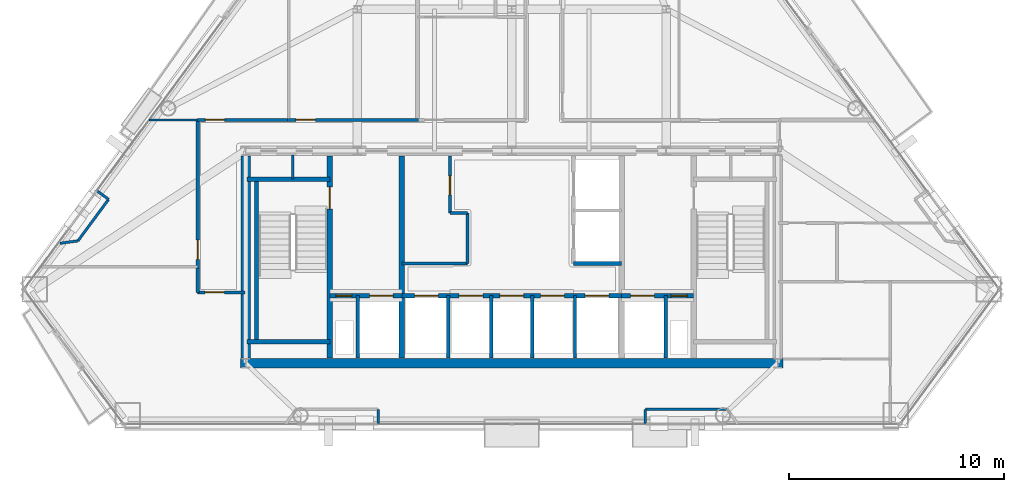
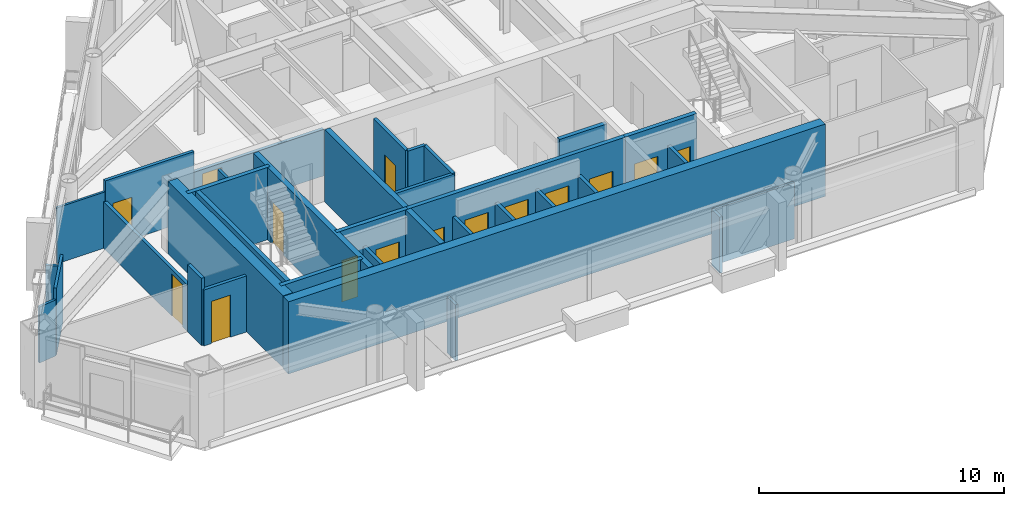
# One storey, part 7 of 11: 34 walls, 15 doors, 15 openings.
"""IFC4 building model written with IfcOpenShell, lengths in metres."""

from ifc_helpers import new_model, si_unit, direction, frame, frame_2d, origin, place, context, subcontext, project, spatial, rectangle, extrude, material, layer, layer_set, type_object, element, fill, save


model = new_model("IFC4")

# Units and contexts
model_context = context("Model", 3, precision=1e-05, world=origin(), true_north=direction((0.0, 1.0)))
body_context = subcontext(model_context, "Body", "Model", "MODEL_VIEW")
ifc_project = project(units=[si_unit("LENGTHUNIT", "METRE"), si_unit("AREAUNIT", "SQUARE_METRE"), si_unit("VOLUMEUNIT", "CUBIC_METRE"), si_unit("PLANEANGLEUNIT", "RADIAN"), si_unit("MASSUNIT", "GRAM", prefix="KILO")], contexts=[model_context])

# Site, building, storey
site_placement = place(None, origin())
site = spatial("IfcSite", under=ifc_project, at=site_placement, CompositionType="ELEMENT")
building_placement = place(site_placement, origin())
building = spatial("IfcBuilding", under=site, at=building_placement, Name="Talgorran Terracotta Tower", CompositionType="ELEMENT")
storey_placement = place(building_placement, frame((0.0, 0.0, 158.10009765625)))
storey = spatial("IfcBuildingStorey", under=building, at=storey_placement, Name="L41", CompositionType="ELEMENT", Elevation=158.10009765625)

# Walls
ifc_material_1 = material(Name="Concrete C50/60", Category="concrete")
ifc_layer_1 = layer(ifc_material_1, 0.199951171875, Name="WT_CORE_200")
ifc_layer_set_1 = layer_set([ifc_layer_1], Name="Concrete C50/60")
wall_type_1 = type_object("IfcWallType", Name="WT_CORE_200", PredefinedType="SOLIDWALL", material=ifc_layer_set_1)
for number, where, z_axis, x_axis, name in (
    (1, (-12.35009765625, -5.52001953125, 0.0), (0.0, 0.0, 1.0), (1.0, 0.0, 0.0), "WL-L41-CW-ST1-N"),
    (2, (-12.35009765625, -13.10009765625, 0.0), (0.0, 0.0, 1.0), (1.0, 0.0, 0.0), "WL-L41-CW-ST1-S"),
):
    element("IfcWall", number, at=place(storey_placement, frame(where, z_axis=z_axis, x_axis=x_axis)), inside=storey, type_object=wall_type_1, Name=name, PredefinedType="SOLIDWALL", context=body_context, shape_type="SweptSolid", body=[
        extrude(rectangle(XDim=3.8701171875, YDim=0.199951171875, at=frame_2d((1.93505859375, 0.0))), origin(), (0.0, 0.0, 1.0), 3.599853515625),
    ])
wall_1_placement = place(storey_placement, frame((-11.89990234375, -13.10009765625, 0.0), z_axis=(0.0, 0.0, 1.0), x_axis=(0.0, 1.0, 0.0)))
element("IfcWall", 3, at=wall_1_placement, inside=storey, type_object=wall_type_1, Name="WL-L41-CW-ST1-W", PredefinedType="SOLIDWALL", context=body_context, shape_type="SweptSolid", body=[
    extrude(rectangle(XDim=7.580078125, YDim=0.199951171875, at=frame_2d((3.7900390625, 0.0))), origin(), (0.0, 0.0, 1.0), 3.599853515625),
])

# Wall, openings, doors
wall_2_placement = place(storey_placement, frame((-8.47998046875, -10.949951171875, 0.0), z_axis=(0.0, 0.0, 1.0), x_axis=(1.0, 0.0, 0.0)))
wall_2 = element("IfcWall", 4, at=wall_2_placement, inside=storey, type_object=wall_type_1, Name="WL-L41-CW-H-SBW", PredefinedType="SOLIDWALL", context=body_context, shape_type="SweptSolid", body=[
    extrude(rectangle(XDim=3.35986328125, YDim=0.199951171875, at=frame_2d((1.679931640625, 0.0))), origin(), (0.0, 0.0, 1.0), 3.599853515625),
])
opening_1_placement = place(wall_2_placement, frame((0.280029296875, 0.0, 0.0)))
opening_1 = element("IfcOpeningElement", 5, at=opening_1_placement, cuts=wall_2, Name="Opening DR-RSW", PredefinedType="OPENING", context=body_context, shape_type="SweptSolid", body=[
    extrude(rectangle(XDim=0.756, YDim=2.054048828125, at=frame_2d((0.375, 1.027099609375))), frame((0.0, 0.10986328125, 0.0), z_axis=(0.0, -1.0, 0.0), x_axis=(1.0, 0.0, 0.0)), (0.0, 0.0, 1.0), 0.219970703125),
])
opening_2_placement = place(wall_2_placement, frame((1.85009765625, 0.0, 0.0)))
opening_2 = element("IfcOpeningElement", 6, at=opening_2_placement, cuts=wall_2, Name="Opening LD-FFL1", PredefinedType="OPENING", context=body_context, shape_type="SweptSolid", body=[
    extrude(rectangle(XDim=1.10609765625, YDim=2.10409765625, at=frame_2d((0.550048828125, 1.052001953125))), frame((0.0, 0.10986328125, 0.0), z_axis=(0.0, -1.0, 0.0), x_axis=(1.0, 0.0, 0.0)), (0.0, 0.0, 1.0), 0.219970703125),
])
ifc_material_2 = material(Name="Brushed Stainless Steel Grade 304", Category="steel")
door_type_1 = type_object("IfcDoorType", Name="DT_LIFT_LD1100", OperationType="DOUBLE_DOOR_SLIDING", PredefinedType="DOOR", material=ifc_material_2)
door_1_placement = place(opening_2_placement, origin())
door_1 = element("IfcDoor", 7, at=door_1_placement, inside=storey, type_object=door_type_1, Name="L41 Lift Landing Door LD-FFL1", OperationType="DOUBLE_DOOR_SLIDING", OverallHeight=2.10009765625, OverallWidth=1.10009765625, PredefinedType="DOOR", context=body_context, shape_type="SweptSolid", body=[
    extrude(rectangle(XDim=1.10009765625, YDim=2.10009765625, at=frame_2d((0.550048828125, 1.050048828125))), frame((0.0, 0.02490234375, 0.0), z_axis=(0.0, -1.0, 0.0), x_axis=(1.0, 0.0, 0.0)), (0.0, 0.0, 1.0), 0.050048828125),
])
fill(opening_2, door_1)
ifc_material_3 = material(Name="Fire-Rated Pressed Steel", Category="steel")
door_type_2 = type_object("IfcDoorType", Name="DT_RISER_750", OperationType="NOTDEFINED", PredefinedType="DOOR", material=ifc_material_3)
door_2_placement = place(opening_1_placement, origin())
door_2 = element("IfcDoor", 8, at=door_2_placement, inside=storey, type_object=door_type_2, Name="DR-RSW", OperationType="SINGLE_SWING_LEFT", OverallHeight=2.050048828125, OverallWidth=0.75, PredefinedType="DOOR", context=body_context, shape_type="SweptSolid", body=[
    extrude(rectangle(XDim=0.75, YDim=2.050048828125, at=frame_2d((0.375, 1.02490234375))), frame((0.0, 0.02490234375, 0.0), z_axis=(0.0, -1.0, 0.0), x_axis=(1.0, 0.0, 0.0)), (0.0, 0.0, 1.0), 0.050048828125),
])
fill(opening_1, door_2)

wall_3_placement = place(storey_placement, frame((-5.1201171875, -10.949951171875, 0.0), z_axis=(0.0, 0.0, 1.0), x_axis=(1.0, 0.0, 0.0)))
wall_3 = element("IfcWall", 9, at=wall_3_placement, inside=storey, type_object=wall_type_1, Name="WL-L41-CW-H-SBC", PredefinedType="SOLIDWALL", context=body_context, shape_type="SweptSolid", body=[
    extrude(rectangle(XDim=10.240234375, YDim=0.199951171875, at=frame_2d((5.1201171875, 0.0))), origin(), (0.0, 0.0, 1.0), 3.599853515625),
])
opening_3_placement = place(wall_3_placement, frame((0.60009765625, 0.0, 0.0)))
opening_3 = element("IfcOpeningElement", 10, at=opening_3_placement, cuts=wall_3, Name="Opening LD-OB1", PredefinedType="OPENING", context=body_context, shape_type="SweptSolid", body=[
    extrude(rectangle(XDim=1.10609765625, YDim=2.10409765625, at=frame_2d((0.550048828125, 1.052001953125))), frame((0.0, 0.10986328125, 0.0), z_axis=(0.0, -1.0, 0.0), x_axis=(1.0, 0.0, 0.0)), (0.0, 0.0, 1.0), 0.219970703125),
])
opening_4_placement = place(wall_3_placement, frame((2.669921875, 0.0, 0.0)))
opening_4 = element("IfcOpeningElement", 11, at=opening_4_placement, cuts=wall_3, Name="Opening LD-PLH1", PredefinedType="OPENING", context=body_context, shape_type="SweptSolid", body=[
    extrude(rectangle(XDim=1.10609765625, YDim=2.10409765625, at=frame_2d((0.550048828125, 1.052001953125))), frame((0.0, 0.10986328125, 0.0), z_axis=(0.0, -1.0, 0.0), x_axis=(1.0, 0.0, 0.0)), (0.0, 0.0, 1.0), 0.219970703125),
])
opening_5_placement = place(wall_3_placement, frame((4.570068359375, 0.0, 0.0)))
opening_5 = element("IfcOpeningElement", 12, at=opening_5_placement, cuts=wall_3, Name="Opening LD-PLH2", PredefinedType="OPENING", context=body_context, shape_type="SweptSolid", body=[
    extrude(rectangle(XDim=1.10609765625, YDim=2.10409765625, at=frame_2d((0.550048828125, 1.052001953125))), frame((0.0, 0.10986328125, 0.0), z_axis=(0.0, -1.0, 0.0), x_axis=(1.0, 0.0, 0.0)), (0.0, 0.0, 1.0), 0.219970703125),
])
opening_6_placement = place(wall_3_placement, frame((6.469970703125, 0.0, 0.0)))
opening_6 = element("IfcOpeningElement", 13, at=opening_6_placement, cuts=wall_3, Name="Opening LD-PLH3", PredefinedType="OPENING", context=body_context, shape_type="SweptSolid", body=[
    extrude(rectangle(XDim=1.10609765625, YDim=2.10409765625, at=frame_2d((0.550048828125, 1.052001953125))), frame((0.0, 0.10986328125, 0.0), z_axis=(0.0, -1.0, 0.0), x_axis=(1.0, 0.0, 0.0)), (0.0, 0.0, 1.0), 0.219970703125),
])
opening_7_placement = place(wall_3_placement, frame((8.5400390625, 0.0, 0.0)))
opening_7 = element("IfcOpeningElement", 14, at=opening_7_placement, cuts=wall_3, Name="Opening LD-SVL1", PredefinedType="OPENING", context=body_context, shape_type="SweptSolid", body=[
    extrude(rectangle(XDim=1.10609765625, YDim=2.10409765625, at=frame_2d((0.550048828125, 1.052001953125))), frame((0.0, 0.10986328125, 0.0), z_axis=(0.0, -1.0, 0.0), x_axis=(1.0, 0.0, 0.0)), (0.0, 0.0, 1.0), 0.219970703125),
])
door_3_placement = place(opening_3_placement, origin())
door_3 = element("IfcDoor", 15, at=door_3_placement, inside=storey, type_object=door_type_1, Name="L41 Lift Landing Door LD-OB1", OperationType="DOUBLE_DOOR_SLIDING", OverallHeight=2.10009765625, OverallWidth=1.10009765625, PredefinedType="DOOR", context=body_context, shape_type="SweptSolid", body=[
    extrude(rectangle(XDim=1.10009765625, YDim=2.10009765625, at=frame_2d((0.550048828125, 1.050048828125))), frame((0.0, 0.02490234375, 0.0), z_axis=(0.0, -1.0, 0.0), x_axis=(1.0, 0.0, 0.0)), (0.0, 0.0, 1.0), 0.050048828125),
])
fill(opening_3, door_3)
door_4_placement = place(opening_4_placement, origin())
door_4 = element("IfcDoor", 16, at=door_4_placement, inside=storey, type_object=door_type_1, Name="L41 Lift Landing Door LD-PLH1", OperationType="DOUBLE_DOOR_SLIDING", OverallHeight=2.10009765625, OverallWidth=1.10009765625, PredefinedType="DOOR", context=body_context, shape_type="SweptSolid", body=[
    extrude(rectangle(XDim=1.10009765625, YDim=2.10009765625, at=frame_2d((0.550048828125, 1.050048828125))), frame((0.0, 0.02490234375, 0.0), z_axis=(0.0, -1.0, 0.0), x_axis=(1.0, 0.0, 0.0)), (0.0, 0.0, 1.0), 0.050048828125),
])
fill(opening_4, door_4)
door_5_placement = place(opening_5_placement, origin())
door_5 = element("IfcDoor", 17, at=door_5_placement, inside=storey, type_object=door_type_1, Name="L41 Lift Landing Door LD-PLH2", OperationType="DOUBLE_DOOR_SLIDING", OverallHeight=2.10009765625, OverallWidth=1.10009765625, PredefinedType="DOOR", context=body_context, shape_type="SweptSolid", body=[
    extrude(rectangle(XDim=1.10009765625, YDim=2.10009765625, at=frame_2d((0.550048828125, 1.050048828125))), frame((0.0, 0.02490234375, 0.0), z_axis=(0.0, -1.0, 0.0), x_axis=(1.0, 0.0, 0.0)), (0.0, 0.0, 1.0), 0.050048828125),
])
fill(opening_5, door_5)
door_6_placement = place(opening_6_placement, origin())
door_6 = element("IfcDoor", 18, at=door_6_placement, inside=storey, type_object=door_type_1, Name="L41 Lift Landing Door LD-PLH3", OperationType="DOUBLE_DOOR_SLIDING", OverallHeight=2.10009765625, OverallWidth=1.10009765625, PredefinedType="DOOR", context=body_context, shape_type="SweptSolid", body=[
    extrude(rectangle(XDim=1.10009765625, YDim=2.10009765625, at=frame_2d((0.550048828125, 1.050048828125))), frame((0.0, 0.02490234375, 0.0), z_axis=(0.0, -1.0, 0.0), x_axis=(1.0, 0.0, 0.0)), (0.0, 0.0, 1.0), 0.050048828125),
])
fill(opening_6, door_6)
door_7_placement = place(opening_7_placement, origin())
door_7 = element("IfcDoor", 19, at=door_7_placement, inside=storey, type_object=door_type_1, Name="L41 Lift Landing Door LD-SVL1", OperationType="DOUBLE_DOOR_SLIDING", OverallHeight=2.10009765625, OverallWidth=1.10009765625, PredefinedType="DOOR", context=body_context, shape_type="SweptSolid", body=[
    extrude(rectangle(XDim=1.10009765625, YDim=2.10009765625, at=frame_2d((0.550048828125, 1.050048828125))), frame((0.0, 0.02490234375, 0.0), z_axis=(0.0, -1.0, 0.0), x_axis=(1.0, 0.0, 0.0)), (0.0, 0.0, 1.0), 0.050048828125),
])
fill(opening_7, door_7)

wall_4_placement = place(storey_placement, frame((5.1201171875, -10.949951171875, 0.0), z_axis=(0.0, 0.0, 1.0), x_axis=(1.0, 0.0, 0.0)))
wall_4 = element("IfcWall", 20, at=wall_4_placement, inside=storey, type_object=wall_type_1, Name="WL-L41-CW-H-SBE", PredefinedType="SOLIDWALL", context=body_context, shape_type="SweptSolid", body=[
    extrude(rectangle(XDim=3.35986328125, YDim=0.199951171875, at=frame_2d((1.679931640625, 0.0))), origin(), (0.0, 0.0, 1.0), 3.599853515625),
])
opening_8_placement = place(wall_4_placement, frame((0.419921875, 0.0, 0.0)))
opening_8 = element("IfcOpeningElement", 21, at=opening_8_placement, cuts=wall_4, Name="Opening LD-FFL2", PredefinedType="OPENING", context=body_context, shape_type="SweptSolid", body=[
    extrude(rectangle(XDim=1.10609765625, YDim=2.10409765625, at=frame_2d((0.550048828125, 1.052001953125))), frame((0.0, 0.10986328125, 0.0), z_axis=(0.0, -1.0, 0.0), x_axis=(1.0, 0.0, 0.0)), (0.0, 0.0, 1.0), 0.219970703125),
])
opening_9_placement = place(wall_4_placement, frame((2.300048828125, 0.0, 0.0)))
opening_9 = element("IfcOpeningElement", 22, at=opening_9_placement, cuts=wall_4, Name="Opening DR-RSE", PredefinedType="OPENING", context=body_context, shape_type="SweptSolid", body=[
    extrude(rectangle(XDim=0.756, YDim=2.054048828125, at=frame_2d((0.375, 1.027099609375))), frame((0.0, 0.10986328125, 0.0), z_axis=(0.0, -1.0, 0.0), x_axis=(1.0, 0.0, 0.0)), (0.0, 0.0, 1.0), 0.219970703125),
])
door_8_placement = place(opening_8_placement, origin())
door_8 = element("IfcDoor", 23, at=door_8_placement, inside=storey, type_object=door_type_1, Name="L41 Lift Landing Door LD-FFL2", OperationType="DOUBLE_DOOR_SLIDING", OverallHeight=2.10009765625, OverallWidth=1.10009765625, PredefinedType="DOOR", context=body_context, shape_type="SweptSolid", body=[
    extrude(rectangle(XDim=1.10009765625, YDim=2.10009765625, at=frame_2d((0.550048828125, 1.050048828125))), frame((0.0, 0.02490234375, 0.0), z_axis=(0.0, -1.0, 0.0), x_axis=(1.0, 0.0, 0.0)), (0.0, 0.0, 1.0), 0.050048828125),
])
fill(opening_8, door_8)
door_9_placement = place(opening_9_placement, origin())
door_9 = element("IfcDoor", 24, at=door_9_placement, inside=storey, type_object=door_type_2, Name="DR-RSE", OperationType="SINGLE_SWING_RIGHT", OverallHeight=2.050048828125, OverallWidth=0.75, PredefinedType="DOOR", context=body_context, shape_type="SweptSolid", body=[
    extrude(rectangle(XDim=0.75, YDim=2.050048828125, at=frame_2d((0.375, 1.02490234375))), frame((0.0, 0.02490234375, 0.0), z_axis=(0.0, -1.0, 0.0), x_axis=(1.0, 0.0, 0.0)), (0.0, 0.0, 1.0), 0.050048828125),
])
fill(opening_9, door_9)

# Wall
wall_5_placement = place(storey_placement, frame((2.8798828125, -9.449951171875, 0.0), z_axis=(0.0, 0.0, 1.0), x_axis=(1.0, 0.0, 0.0)))
element("IfcWall", 25, at=wall_5_placement, inside=storey, type_object=wall_type_1, Name="WL-L41-CW-H-E4", PredefinedType="SOLIDWALL", context=body_context, shape_type="SweptSolid", body=[
    extrude(rectangle(XDim=2.240234375, YDim=0.199951171875, at=frame_2d((1.1201171875, 0.0))), origin(), (0.0, 0.0, 1.0), 3.349853515625),
])

# Wall, opening, door
ifc_layer_2 = layer(ifc_material_1, 0.25, Name="WT_CORE_250")
ifc_layer_set_2 = layer_set([ifc_layer_2], Name="Concrete C50/60")
wall_type_2 = type_object("IfcWallType", Name="WT_CORE_250", PredefinedType="SHEAR", material=ifc_layer_set_2)
wall_6_placement = place(storey_placement, frame((-8.47998046875, -13.85009765625, 0.0), z_axis=(0.0, 0.0, 1.0), x_axis=(0.0, 1.0, 0.0)))
wall_6 = element("IfcWall", 26, at=wall_6_placement, inside=storey, type_object=wall_type_2, Name="WL-L41-CW-V-W1", PredefinedType="SHEAR", context=body_context, shape_type="SweptSolid", body=[
    extrude(rectangle(XDim=9.400146484375, YDim=0.25, at=frame_2d((4.7001953125, 0.0))), origin(), (0.0, 0.0, 1.0), 3.599853515625),
])
opening_10_placement = place(wall_6_placement, frame((6.949951171875, 0.0, 0.0)))
opening_10 = element("IfcOpeningElement", 27, at=opening_10_placement, cuts=wall_6, Name="Opening DR-ST01", PredefinedType="OPENING", context=body_context, shape_type="SweptSolid", body=[
    extrude(rectangle(XDim=1.006, YDim=2.10409765625, at=frame_2d((0.5, 1.052001953125))), frame((0.0, 0.135009765625, 0.0), z_axis=(0.0, -1.0, 0.0), x_axis=(1.0, 0.0, 0.0)), (0.0, 0.0, 1.0), 0.27001953125),
])
door_type_3 = type_object("IfcDoorType", Name="DT_FIRE_1000", OperationType="NOTDEFINED", PredefinedType="DOOR", material=ifc_material_3)
door_10_placement = place(opening_10_placement, origin())
door_10 = element("IfcDoor", 28, at=door_10_placement, inside=storey, type_object=door_type_3, Name="DR-ST01", OperationType="SINGLE_SWING_LEFT", OverallHeight=2.10009765625, OverallWidth=1.0, PredefinedType="DOOR", context=body_context, shape_type="SweptSolid", body=[
    extrude(rectangle(XDim=1.0, YDim=2.10009765625, at=frame_2d((0.5, 1.050048828125))), frame((0.0, 0.02490234375, 0.0), z_axis=(0.0, -1.0, 0.0), x_axis=(1.0, 0.0, 0.0)), (0.0, 0.0, 1.0), 0.050048828125),
])
fill(opening_10, door_10)

# Walls
wall_7_placement = place(storey_placement, frame((-5.1201171875, -13.85009765625, 0.0), z_axis=(0.0, 0.0, 1.0), x_axis=(0.0, 1.0, 0.0)))
element("IfcWall", 29, at=wall_7_placement, inside=storey, type_object=wall_type_2, Name="WL-L41-CW-V-W2", PredefinedType="SHEAR", context=body_context, shape_type="SweptSolid", body=[
    extrude(rectangle(XDim=9.400146484375, YDim=0.25, at=frame_2d((4.7001953125, 0.0))), origin(), (0.0, 0.0, 1.0), 3.599853515625),
])
ifc_material_4 = material(Name="Concrete C65/80", Category="concrete")
ifc_layer_3 = layer(ifc_material_4, 0.449951171875, Name="WT_CORE_EXT")
ifc_layer_set_3 = layer_set([ifc_layer_3], Name="Concrete C65/80")
wall_type_3 = type_object("IfcWallType", Name="WT_CORE_EXT", PredefinedType="SHEAR", material=ifc_layer_set_3)
wall_8_placement = place(storey_placement, frame((-12.64990234375, -14.10009765625, 0.0), z_axis=(0.0, 0.0, 1.0), x_axis=(1.0, 0.0, 0.0)))
element("IfcWall", 30, at=wall_8_placement, inside=storey, type_object=wall_type_3, Name="WL-L41-CW-OUT-S", PredefinedType="SHEAR", context=body_context, shape_type="SweptSolid", body=[
    extrude(rectangle(XDim=25.2998046875, YDim=0.449951171875, at=frame_2d((12.64990234375, 0.0))), origin(), (0.0, 0.0, 1.0), 3.599853515625),
])
wall_9_placement = place(storey_placement, frame((-12.39990234375, -13.85009765625, 0.0), z_axis=(0.0, 0.0, 1.0), x_axis=(0.0, 1.0, 0.0)))
element("IfcWall", 31, at=wall_9_placement, inside=storey, type_object=wall_type_3, Name="WL-L41-CW-OUT-W", PredefinedType="SHEAR", context=body_context, shape_type="SweptSolid", body=[
    extrude(rectangle(XDim=9.400146484375, YDim=0.449951171875, at=frame_2d((4.7001953125, 0.0))), origin(), (0.0, 0.0, 1.0), 3.599853515625),
])
ifc_material_5 = material(Name="Fire-Rated Steel Stud Plasterboard", Category="steel")
ifc_layer_4 = layer(ifc_material_5, 0.14990234375, Name="WT_FIRE_150")
ifc_layer_set_4 = layer_set([ifc_layer_4], Name="Fire-Rated Steel Stud Plasterboard")
wall_type_4 = type_object("IfcWallType", Name="WT_FIRE_150", PredefinedType="PARTITIONING", material=ifc_layer_set_4)
wall_10_placement = place(storey_placement, frame((-5.1201171875, -9.449951171875, 0.0), z_axis=(0.0, 0.0, 1.0), x_axis=(1.0, 0.0, 0.0)))
element("IfcWall", 32, at=wall_10_placement, inside=storey, type_object=wall_type_4, Name="WL-L41-CW-H-W4N", PredefinedType="PARTITIONING", context=body_context, shape_type="SweptSolid", body=[
    extrude(rectangle(XDim=3.06005859375, YDim=0.14990234375, at=frame_2d((1.530029296875, 0.0))), origin(), (0.0, 0.0, 1.0), 3.349853515625),
])
wall_11_placement = place(storey_placement, frame((-2.06005859375, -9.449951171875, 0.0), z_axis=(0.0, 0.0, 1.0), x_axis=(0.0, 1.0, 0.0)))
element("IfcWall", 33, at=wall_11_placement, inside=storey, type_object=wall_type_4, Name="WL-L41-CW-V-W3S2", PredefinedType="PARTITIONING", context=body_context, shape_type="SweptSolid", body=[
    extrude(rectangle(XDim=2.349853515625, YDim=0.14990234375, at=frame_2d((1.1748046875, 0.0))), origin(), (0.0, 0.0, 1.0), 3.349853515625),
])
wall_12_placement = place(storey_placement, frame((-2.8798828125, -7.10009765625, 0.0), z_axis=(0.0, 0.0, 1.0), x_axis=(1.0, 0.0, 0.0)))
element("IfcWall", 34, at=wall_12_placement, inside=storey, type_object=wall_type_4, Name="WL-L41-CW-H-W3M2", PredefinedType="PARTITIONING", context=body_context, shape_type="SweptSolid", body=[
    extrude(rectangle(XDim=0.81982421875, YDim=0.14990234375, at=frame_2d((0.409912109375, 0.0))), origin(), (0.0, 0.0, 1.0), 3.349853515625),
])

# Wall, opening, door
wall_13_placement = place(storey_placement, frame((-2.8798828125, -7.10009765625, 0.0), z_axis=(0.0, 0.0, 1.0), x_axis=(0.0, 1.0, 0.0)))
wall_13 = element("IfcWall", 35, at=wall_13_placement, inside=storey, type_object=wall_type_4, Name="WL-L41-CW-V-W3N", PredefinedType="PARTITIONING", context=body_context, shape_type="SweptSolid", body=[
    extrude(rectangle(XDim=2.650146484375, YDim=0.14990234375, at=frame_2d((1.3251953125, 0.0))), origin(), (0.0, 0.0, 1.0), 3.349853515625),
])
opening_11_placement = place(wall_13_placement, frame((0.85009765625, 0.0, 0.0)))
opening_11 = element("IfcOpeningElement", 36, at=opening_11_placement, cuts=wall_13, Name="Opening DR-FRPLL-B", PredefinedType="OPENING", context=body_context, shape_type="SweptSolid", body=[
    extrude(rectangle(XDim=0.8858828125, YDim=2.10409765625, at=frame_2d((0.43994140625, 1.052001953125))), frame((0.0, 0.0849609375, 0.0), z_axis=(0.0, -1.0, 0.0), x_axis=(1.0, 0.0, 0.0)), (0.0, 0.0, 1.0), 0.169921875),
])
ifc_material_6 = material(Name="Solid-Core Painted Timber", Category="wood")
door_type_4 = type_object("IfcDoorType", Name="DT_INT_880", OperationType="NOTDEFINED", PredefinedType="DOOR", material=ifc_material_6)
door_11_placement = place(opening_11_placement, origin())
door_11 = element("IfcDoor", 37, at=door_11_placement, inside=storey, type_object=door_type_4, Name="DR-FRPLL-B", OperationType="SINGLE_SWING_LEFT", OverallHeight=2.10009765625, OverallWidth=0.8798828125, PredefinedType="DOOR", context=body_context, shape_type="SweptSolid", body=[
    extrude(rectangle(XDim=0.8798828125, YDim=2.10009765625, at=frame_2d((0.43994140625, 1.050048828125))), frame((0.0, 0.02490234375, 0.0), z_axis=(0.0, -1.0, 0.0), x_axis=(1.0, 0.0, 0.0)), (0.0, 0.0, 1.0), 0.050048828125),
])
fill(opening_11, door_11)

wall_14_placement = place(storey_placement, frame((-14.639892578125, -9.659912109375, 0.0), z_axis=(0.0, 0.0, 1.0), x_axis=(0.0, 1.0, 0.0)))
wall_14 = element("IfcWall", 38, at=wall_14_placement, inside=storey, type_object=wall_type_4, Name="WL-L41-W-L41-R01", PredefinedType="PARTITIONING", context=body_context, shape_type="SweptSolid", body=[
    extrude(rectangle(XDim=6.89990234375, YDim=0.14990234375, at=frame_2d((3.449951171875, 0.0))), origin(), (0.0, 0.0, 1.0), 2.324951171875),
])
opening_12_placement = place(wall_14_placement, frame((0.398193359375, 0.0, 0.0)))
opening_12 = element("IfcOpeningElement", 39, at=opening_12_placement, cuts=wall_14, Name="Opening DR-L41-R01", PredefinedType="OPENING", context=body_context, shape_type="SweptSolid", body=[
    extrude(rectangle(XDim=0.90590234375, YDim=2.10409765625, at=frame_2d((0.449951171875, 1.052001953125))), frame((0.0, 0.0849609375, 0.0), z_axis=(0.0, -1.0, 0.0), x_axis=(1.0, 0.0, 0.0)), (0.0, 0.0, 1.0), 0.169921875),
])
ifc_material_7 = material(Name="Fire-Rated Timber Core", Category="wood")
door_type_5 = type_object("IfcDoorType", Name="DT_FIRE_900", OperationType="NOTDEFINED", PredefinedType="DOOR", material=ifc_material_7)
door_12_placement = place(opening_12_placement, origin())
door_12 = element("IfcDoor", 40, at=door_12_placement, inside=storey, type_object=door_type_5, Name="DR-L41-R01", OperationType="SINGLE_SWING_LEFT", OverallHeight=2.10009765625, OverallWidth=0.89990234375, PredefinedType="DOOR", context=body_context, shape_type="SweptSolid", body=[
    extrude(rectangle(XDim=0.89990234375, YDim=2.10009765625, at=frame_2d((0.449951171875, 1.050048828125))), frame((0.0, 0.02490234375, 0.0), z_axis=(0.0, -1.0, 0.0), x_axis=(1.0, 0.0, 0.0)), (0.0, 0.0, 1.0), 0.050048828125),
])
fill(opening_12, door_12)

wall_15_placement = place(storey_placement, frame((-10.4599609375, -2.760009765625, 0.0), z_axis=(0.0, 0.0, 1.0), x_axis=(1.0, 0.0, 0.0)))
wall_15 = element("IfcWall", 41, at=wall_15_placement, inside=storey, type_object=wall_type_4, Name="WL-L41-W-L41-R06", PredefinedType="PARTITIONING", context=body_context, shape_type="SweptSolid", body=[
    extrude(rectangle(XDim=6.119873046875, YDim=0.14990234375, at=frame_2d((3.06005859375, 0.0))), origin(), (0.0, 0.0, 1.0), 2.324951171875),
])
opening_13_placement = place(wall_15_placement, frame((0.39892578125, 0.0, 0.0)))
opening_13 = element("IfcOpeningElement", 42, at=opening_13_placement, cuts=wall_15, Name="Opening DR-L41-R09", PredefinedType="OPENING", context=body_context, shape_type="SweptSolid", body=[
    extrude(rectangle(XDim=0.90590234375, YDim=2.10409765625, at=frame_2d((0.449951171875, 1.052001953125))), frame((0.0, 0.0849609375, 0.0), z_axis=(0.0, -1.0, 0.0), x_axis=(1.0, 0.0, 0.0)), (0.0, 0.0, 1.0), 0.169921875),
])
door_13_placement = place(opening_13_placement, origin())
door_13 = element("IfcDoor", 43, at=door_13_placement, inside=storey, type_object=door_type_5, Name="DR-L41-R09", OperationType="SINGLE_SWING_LEFT", OverallHeight=2.10009765625, OverallWidth=0.89990234375, PredefinedType="DOOR", context=body_context, shape_type="SweptSolid", body=[
    extrude(rectangle(XDim=0.89990234375, YDim=2.10009765625, at=frame_2d((0.449951171875, 1.050048828125))), frame((0.0, 0.02490234375, 0.0), z_axis=(0.0, -1.0, 0.0), x_axis=(1.0, 0.0, 0.0)), (0.0, 0.0, 1.0), 0.050048828125),
])
fill(opening_13, door_13)

wall_16_placement = place(storey_placement, frame((-14.639892578125, -2.760009765625, 0.0), z_axis=(0.0, 0.0, 1.0), x_axis=(1.0, 0.0, 0.0)))
wall_16 = element("IfcWall", 44, at=wall_16_placement, inside=storey, type_object=wall_type_4, Name="WL-L41-W-L41-R05", PredefinedType="PARTITIONING", context=body_context, shape_type="SweptSolid", body=[
    extrude(rectangle(XDim=4.177978515625, YDim=0.14990234375, at=frame_2d((2.0888671875, 0.0))), origin(), (0.0, 0.0, 1.0), 3.349853515625),
])
opening_14_placement = place(wall_16_placement, frame((0.35693359375, 0.0, 0.0)))
opening_14 = element("IfcOpeningElement", 45, at=opening_14_placement, cuts=wall_16, Name="Opening DR-L41-R08", PredefinedType="OPENING", context=body_context, shape_type="SweptSolid", body=[
    extrude(rectangle(XDim=0.90590234375, YDim=2.10409765625, at=frame_2d((0.449951171875, 1.052001953125))), frame((0.0, 0.0849609375, 0.0), z_axis=(0.0, -1.0, 0.0), x_axis=(1.0, 0.0, 0.0)), (0.0, 0.0, 1.0), 0.169921875),
])
door_14_placement = place(opening_14_placement, origin())
door_14 = element("IfcDoor", 46, at=door_14_placement, inside=storey, type_object=door_type_5, Name="DR-L41-R08", OperationType="SINGLE_SWING_RIGHT", OverallHeight=2.10009765625, OverallWidth=0.89990234375, PredefinedType="DOOR", context=body_context, shape_type="SweptSolid", body=[
    extrude(rectangle(XDim=0.89990234375, YDim=2.10009765625, at=frame_2d((0.449951171875, 1.050048828125))), frame((0.0, 0.02490234375, 0.0), z_axis=(0.0, -1.0, 0.0), x_axis=(1.0, 0.0, 0.0)), (0.0, 0.0, 1.0), 0.050048828125),
])
fill(opening_14, door_14)

wall_17_placement = place(storey_placement, frame((-14.639892578125, -10.800048828125, 0.0), z_axis=(0.0, 0.0, 1.0), x_axis=(1.0, 0.0, 0.0)))
wall_17 = element("IfcWall", 47, at=wall_17_placement, inside=storey, type_object=wall_type_4, Name="WL-L41-W-L41-R03", PredefinedType="PARTITIONING", context=body_context, shape_type="SweptSolid", body=[
    extrude(rectangle(XDim=2.199951171875, YDim=0.14990234375, at=frame_2d((1.10009765625, 0.0))), origin(), (0.0, 0.0, 1.0), 2.7919921875),
])
opening_15_placement = place(wall_17_placement, frame((0.3486328125, 0.0, 0.0)))
opening_15 = element("IfcOpeningElement", 48, at=opening_15_placement, cuts=wall_17, Name="Opening DR-L41-R02", PredefinedType="OPENING", context=body_context, shape_type="SweptSolid", body=[
    extrude(rectangle(XDim=0.90590234375, YDim=2.10409765625, at=frame_2d((0.449951171875, 1.052001953125))), frame((0.0, 0.0849609375, 0.0), z_axis=(0.0, -1.0, 0.0), x_axis=(1.0, 0.0, 0.0)), (0.0, 0.0, 1.0), 0.169921875),
])
door_15_placement = place(opening_15_placement, origin())
door_15 = element("IfcDoor", 49, at=door_15_placement, inside=storey, type_object=door_type_5, Name="DR-L41-R02", OperationType="SINGLE_SWING_RIGHT", OverallHeight=2.10009765625, OverallWidth=0.89990234375, PredefinedType="DOOR", context=body_context, shape_type="SweptSolid", body=[
    extrude(rectangle(XDim=0.89990234375, YDim=2.10009765625, at=frame_2d((0.449951171875, 1.050048828125))), frame((0.0, 0.02490234375, 0.0), z_axis=(0.0, -1.0, 0.0), x_axis=(1.0, 0.0, 0.0)), (0.0, 0.0, 1.0), 0.050048828125),
])
fill(opening_15, door_15)

# Walls
wall_18_placement = place(storey_placement, frame((-14.639892578125, -10.800048828125, 0.0), z_axis=(0.0, 0.0, 1.0), x_axis=(0.0, 1.0, 0.0)))
element("IfcWall", 50, at=wall_18_placement, inside=storey, type_object=wall_type_4, Name="WL-L41-W-L41-R02", PredefinedType="PARTITIONING", context=body_context, shape_type="SweptSolid", body=[
    extrude(rectangle(XDim=1.137939453125, YDim=0.14990234375, at=frame_2d((0.56884765625, 0.0))), origin(), (0.0, 0.0, 1.0), 3.349853515625),
])
ifc_material_8 = material(Name="Lightweight Steel Stud Partition", Category="steel")
ifc_layer_5 = layer(ifc_material_8, 0.10498046875, Name="WT_PART_110")
ifc_layer_set_5 = layer_set([ifc_layer_5], Name="Lightweight Steel Stud Partition")
wall_type_5 = type_object("IfcWallType", Name="WT_PART_110", PredefinedType="PARTITIONING", material=ifc_layer_set_5)
wall_19_placement = place(storey_placement, frame((-16.9052734375, -2.760009765625, 0.0), z_axis=(0.0, 0.0, 1.0), x_axis=(1.0, 0.0, 0.0)))
element("IfcWall", 51, at=wall_19_placement, inside=storey, type_object=wall_type_5, Name="WL-L41-W-L41-R18", PredefinedType="PARTITIONING", context=body_context, shape_type="SweptSolid", body=[
    extrude(rectangle(XDim=2.265380859375, YDim=0.10498046875, at=frame_2d((1.1328125, 0.0))), origin(), (0.0, 0.0, 1.0), 2.7919921875),
])
ifc_material_9 = material(Name="Insulated Steel Stud Plasterboard", Category="steel")
ifc_layer_6 = layer(ifc_material_9, 0.1201171875, Name="WT_PART_120")
ifc_layer_set_6 = layer_set([ifc_layer_6], Name="Insulated Steel Stud Plasterboard")
wall_type_6 = type_object("IfcWallType", Name="WT_PART_120", PredefinedType="PARTITIONING", material=ifc_layer_set_6)
wall_20_placement = place(storey_placement, frame((-10.199951171875, -5.52001953125, 0.0), z_axis=(0.0, 0.0, 1.0), x_axis=(0.0, 1.0, 0.0)))
element("IfcWall", 52, at=wall_20_placement, inside=storey, type_object=wall_type_6, Name="WL-L41-CW-CSW-DIV", PredefinedType="PARTITIONING", context=body_context, shape_type="SweptSolid", body=[
    extrude(rectangle(XDim=1.1201171875, YDim=0.1201171875, at=frame_2d((0.56005859375, 0.0))), origin(), (0.0, 0.0, 1.0), 3.349853515625),
])
wall_21_placement = place(storey_placement, frame((6.23046875, -16.25, 0.0), z_axis=(0.0, 0.0, 1.0), x_axis=(1.0, 0.0, 0.0)))
element("IfcWall", 53, at=wall_21_placement, inside=storey, type_object=wall_type_6, Name="WL-L41-BW-L41-06", PredefinedType="PARTITIONING", context=body_context, shape_type="SweptSolid", body=[
    extrude(rectangle(XDim=3.81103515625, YDim=0.1201171875, at=frame_2d((1.905517578125, 0.0))), origin(), (0.0, 0.0, 1.0), 2.7919921875),
])
wall_22_placement = place(storey_placement, frame((-18.79150390625, -6.4609375, 0.0), z_axis=(0.0, 0.0, 1.0), x_axis=(-0.593694221043, -0.804690730591, 0.0)))
element("IfcWall", 54, at=wall_22_placement, inside=storey, type_object=wall_type_6, Name="WL-L41-BW-L41-08", PredefinedType="PARTITIONING", context=body_context, shape_type="SweptSolid", body=[
    extrude(rectangle(XDim=2.404541015625, YDim=0.1201171875, at=frame_2d((1.2021484375, 0.0))), origin(), (0.0, 0.0, 1.0), 3.349853515625),
])
wall_23_placement = place(storey_placement, frame((-20.218994140625, -8.395751953125, 0.0), z_axis=(0.0, 0.0, 1.0), x_axis=(-0.990865129617, -0.134856571617, 0.0)))
element("IfcWall", 55, at=wall_23_placement, inside=storey, type_object=wall_type_6, Name="WL-L41-BW-L41-09", PredefinedType="PARTITIONING", context=body_context, shape_type="SweptSolid", body=[
    extrude(rectangle(XDim=0.84912109375, YDim=0.1201171875, at=frame_2d((0.424560546875, 0.0))), origin(), (0.0, 0.0, 1.0), 2.7919921875),
])
for number, where, z_axis, x_axis, name in (
    (56, (-6.23046875, -16.25, 0.0), (0.0, 0.0, 1.0), (0.0, -1.0, 0.0), "WL-L41-BW-L41-02"),
    (57, (6.23046875, -16.919921875, 0.0), (0.0, 0.0, 1.0), (0.0, 1.0, 0.0), "WL-L41-BW-L41-05"),
    (58, (-19.33056640625, -6.063232421875, 0.0), (0.0, 0.0, 1.0), (0.804698441933, -0.59368376898, 0.0), "WL-L41-BW-L41-07"),
):
    element("IfcWall", number, at=place(storey_placement, frame(where, z_axis=z_axis, x_axis=x_axis)), inside=storey, type_object=wall_type_6, Name=name, PredefinedType="PARTITIONING", context=body_context, shape_type="SweptSolid", body=[
        extrude(rectangle(XDim=0.669921875, YDim=0.1201171875, at=frame_2d((0.3349609375, 0.0))), origin(), (0.0, 0.0, 1.0), 2.7919921875),
    ])
ifc_material_10 = material(Name="Fire-Rated Shaftwall")
ifc_layer_7 = layer(ifc_material_10, 0.159912109375, Name="WT_PART_150")
ifc_layer_set_7 = layer_set([ifc_layer_7], Name="Fire-Rated Shaftwall")
wall_type_7 = type_object("IfcWallType", Name="WT_PART_150", PredefinedType="PARTITIONING", material=ifc_layer_set_7)
for number, where, z_axis, x_axis, name in (
    (59, (-7.179931640625, -13.85009765625, 0.0), (0.0, 0.0, 1.0), (0.0, 1.0, 0.0), "WL-L41-CW-RSW"),
    (60, (7.179931640625, -13.85009765625, 0.0), (0.0, 0.0, 1.0), (0.0, 1.0, 0.0), "WL-L41-CW-RSE"),
    (61, (-2.949951171875, -13.85009765625, 0.0), (0.0, 0.0, 1.0), (0.0, 1.0, 0.0), "WL-L41-CW-OB-E"),
    (62, (2.949951171875, -13.85009765625, 0.0), (0.0, 0.0, 1.0), (0.0, 1.0, 0.0), "WL-L41-CW-SV-W"),
    (63, (-0.949951171875, -13.85009765625, 0.0), (0.0, 0.0, 1.0), (0.0, 1.0, 0.0), "WL-L41-CW-PLH-D1"),
    (64, (0.949951171875, -13.85009765625, 0.0), (0.0, 0.0, 1.0), (0.0, 1.0, 0.0), "WL-L41-CW-PLH-D2"),
):
    element("IfcWall", number, at=place(storey_placement, frame(where, z_axis=z_axis, x_axis=x_axis)), inside=storey, type_object=wall_type_7, Name=name, PredefinedType="PARTITIONING", context=body_context, shape_type="SweptSolid", body=[
        extrude(rectangle(XDim=2.900146484375, YDim=0.159912109375, at=frame_2d((1.4501953125, 0.0))), origin(), (0.0, 0.0, 1.0), 2.474853515625),
    ])

save(model, "model.ifc")
